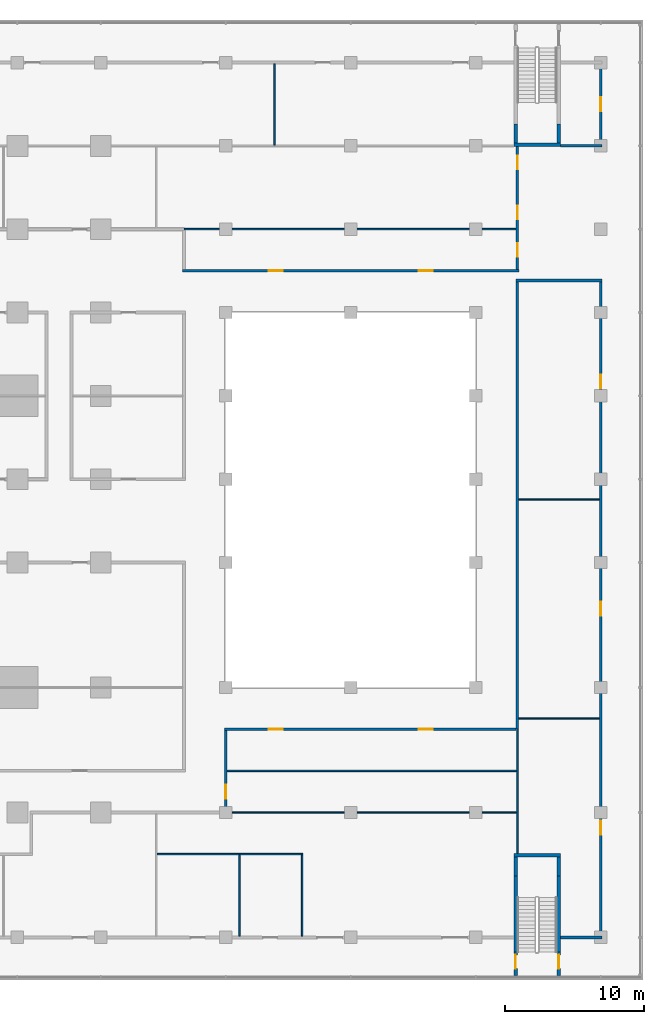
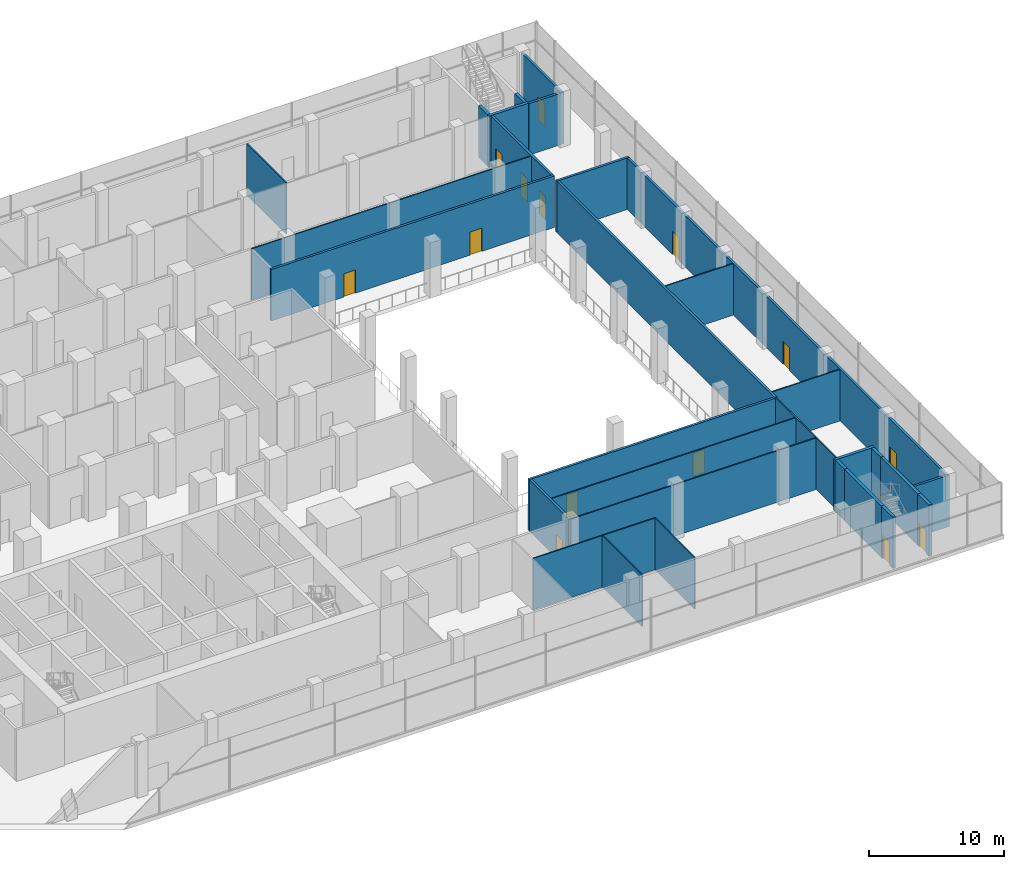
# One storey, part 17 of 22: 30 walls, 14 doors, 14 openings.
"""IFC4 building model written with IfcOpenShell, lengths in metres."""

from ifc_helpers import new_model, si_unit, direction, frame, frame_2d, origin, place, context, subcontext, project, spatial, rectangle, extrude, material, layer, layer_set, type_object, element, fill, save


model = new_model("IFC4")

# Units and contexts
model_context = context("Model", 3, precision=1e-05, world=origin(), true_north=direction((0.0, 1.0)))
body_context = subcontext(model_context, "Body", "Model", "MODEL_VIEW")
ifc_project = project(units=[si_unit("LENGTHUNIT", "METRE"), si_unit("AREAUNIT", "SQUARE_METRE"), si_unit("VOLUMEUNIT", "CUBIC_METRE"), si_unit("PLANEANGLEUNIT", "RADIAN"), si_unit("MASSUNIT", "GRAM", prefix="KILO")], contexts=[model_context])

# Site, building, storey
site_placement = place(None, origin())
site = spatial("IfcSite", under=ifc_project, at=site_placement, CompositionType="ELEMENT")
building_placement = place(site_placement, origin())
building = spatial("IfcBuilding", under=site, at=building_placement, Name="Finial Court Residences", CompositionType="ELEMENT")
storey_placement = place(building_placement, frame((0.0, 0.0, 13.5)))
storey = spatial("IfcBuildingStorey", under=building, at=storey_placement, Name="L02", CompositionType="ELEMENT", Elevation=13.5)

# Wall
ifc_material_1 = material(Name="Gypsum board")
ifc_layer_1 = layer(ifc_material_1, 0.02490234375)
ifc_material_2 = material(Name="Acoustic mineral wool in double frame")
ifc_layer_2 = layer(ifc_material_2, 0.14990234375)
ifc_layer_3 = layer(ifc_material_1, 0.02490234375)
ifc_layer_set_1 = layer_set([ifc_layer_1, ifc_layer_2, ifc_layer_3], Name="Corridor wall 200, 1 hour")
wall_type_1 = type_object("IfcWallType", Name="Corridor wall 200, 1 hour", PredefinedType="PARTITIONING", material=ifc_layer_set_1)
wall_1_placement = place(storey_placement, frame((55.60009765625, -31.5, 0.0), z_axis=(0.0, 0.0, 1.0), x_axis=(1.0, 0.0, 0.0)))
element("IfcWall", 1, at=wall_1_placement, inside=storey, type_object=wall_type_1, Name="Partition L02-002", PredefinedType="PARTITIONING", context=body_context, shape_type="SweptSolid", body=[
    extrude(rectangle(XDim=3.0, YDim=0.199951171875, at=frame_2d((1.5, 0.0))), origin(), (0.0, 0.0, 1.0), 4.64990234375),
])

# Wall, openings, doors
wall_2_placement = place(storey_placement, frame((31.39990234375, -16.5, 0.0), z_axis=(0.0, 0.0, 1.0), x_axis=(1.0, 0.0, 0.0)))
wall_2 = element("IfcWall", 2, at=wall_2_placement, inside=storey, type_object=wall_type_1, Name="Partition L02-012", PredefinedType="PARTITIONING", context=body_context, shape_type="SweptSolid", body=[
    extrude(rectangle(XDim=21.0, YDim=0.199951171875, at=frame_2d((10.5, 0.0))), origin(), (0.0, 0.0, 1.0), 4.64990234375),
])
opening_1_placement = place(wall_2_placement, frame((3.199951171875, 0.0, 0.0)))
opening_1 = element("IfcOpeningElement", 3, at=opening_1_placement, cuts=wall_2, Name="Opening L02-D013", PredefinedType="OPENING", context=body_context, shape_type="SweptSolid", body=[
    extrude(rectangle(XDim=1.0, YDim=2.10009765625, at=frame_2d((0.5, 1.050048828125))), frame((0.0, 0.10986328125, 0.0), z_axis=(0.0, -1.0, 0.0), x_axis=(1.0, 0.0, 0.0)), (0.0, 0.0, 1.0), 0.219970703125),
])
opening_2_placement = place(wall_2_placement, frame((14.0, 0.0, 0.0)))
opening_2 = element("IfcOpeningElement", 4, at=opening_2_placement, cuts=wall_2, Name="Opening L02-D014", PredefinedType="OPENING", context=body_context, shape_type="SweptSolid", body=[
    extrude(rectangle(XDim=1.0, YDim=2.10009765625, at=frame_2d((0.5, 1.050048828125))), frame((0.0, 0.10986328125, 0.0), z_axis=(0.0, -1.0, 0.0), x_axis=(1.0, 0.0, 0.0)), (0.0, 0.0, 1.0), 0.219970703125),
])
ifc_material_3 = material(Name="Timber door leaf in hollow metal frame", Category="wood")
door_type_1 = type_object("IfcDoorType", Name="Fire door set 1000 x 2100, 30 minutes", OperationType="SINGLE_SWING_LEFT", PredefinedType="DOOR", material=ifc_material_3)
door_1_placement = place(opening_1_placement, origin())
door_1 = element("IfcDoor", 5, at=door_1_placement, inside=storey, type_object=door_type_1, Name="Door L02-D013", OperationType="SINGLE_SWING_LEFT", OverallHeight=2.10009765625, OverallWidth=1.0, PredefinedType="DOOR", context=body_context, shape_type="SweptSolid", body=[
    extrude(rectangle(XDim=1.0, YDim=2.10009765625, at=frame_2d((0.5, 1.050048828125))), frame((0.0, 0.02490234375, 0.0), z_axis=(0.0, -1.0, 0.0), x_axis=(1.0, 0.0, 0.0)), (0.0, 0.0, 1.0), 0.050048828125),
])
fill(opening_1, door_1)
door_2_placement = place(opening_2_placement, origin())
door_2 = element("IfcDoor", 6, at=door_2_placement, inside=storey, type_object=door_type_1, Name="Door L02-D014", OperationType="SINGLE_SWING_RIGHT", OverallHeight=2.10009765625, OverallWidth=1.0, PredefinedType="DOOR", context=body_context, shape_type="SweptSolid", body=[
    extrude(rectangle(XDim=1.0, YDim=2.10009765625, at=frame_2d((0.5, 1.050048828125))), frame((0.0, 0.02490234375, 0.0), z_axis=(0.0, -1.0, 0.0), x_axis=(1.0, 0.0, 0.0)), (0.0, 0.0, 1.0), 0.050048828125),
])
fill(opening_2, door_2)

# Wall
wall_3_placement = place(storey_placement, frame((52.39990234375, 15.800048828125, 0.0), z_axis=(0.0, 0.0, 1.0), x_axis=(1.0, 0.0, 0.0)))
element("IfcWall", 7, at=wall_3_placement, inside=storey, type_object=wall_type_1, Name="Partition L02-031", PredefinedType="PARTITIONING", context=body_context, shape_type="SweptSolid", body=[
    extrude(rectangle(XDim=6.2001953125, YDim=0.199951171875, at=frame_2d((3.10009765625, 0.0))), origin(), (0.0, 0.0, 1.0), 4.64990234375),
])

# Wall, openings, doors
wall_4_placement = place(storey_placement, frame((28.39990234375, 16.5, 0.0), z_axis=(0.0, 0.0, 1.0), x_axis=(1.0, 0.0, 0.0)))
wall_4 = element("IfcWall", 8, at=wall_4_placement, inside=storey, type_object=wall_type_1, Name="Partition L02-032", PredefinedType="PARTITIONING", context=body_context, shape_type="SweptSolid", body=[
    extrude(rectangle(XDim=24.2001953125, YDim=0.199951171875, at=frame_2d((12.10009765625, 0.0))), origin(), (0.0, 0.0, 1.0), 4.64990234375),
])
opening_3_placement = place(wall_4_placement, frame((6.199951171875, 0.0, 0.0)))
opening_3 = element("IfcOpeningElement", 9, at=opening_3_placement, cuts=wall_4, Name="Opening L02-D030", PredefinedType="OPENING", context=body_context, shape_type="SweptSolid", body=[
    extrude(rectangle(XDim=1.0, YDim=2.10009765625, at=frame_2d((0.5, 1.050048828125))), frame((0.0, 0.10986328125, 0.0), z_axis=(0.0, -1.0, 0.0), x_axis=(1.0, 0.0, 0.0)), (0.0, 0.0, 1.0), 0.219970703125),
])
opening_4_placement = place(wall_4_placement, frame((17.0, 0.0, 0.0)))
opening_4 = element("IfcOpeningElement", 10, at=opening_4_placement, cuts=wall_4, Name="Opening L02-D031", PredefinedType="OPENING", context=body_context, shape_type="SweptSolid", body=[
    extrude(rectangle(XDim=1.0, YDim=2.10009765625, at=frame_2d((0.5, 1.050048828125))), frame((0.0, 0.10986328125, 0.0), z_axis=(0.0, -1.0, 0.0), x_axis=(1.0, 0.0, 0.0)), (0.0, 0.0, 1.0), 0.219970703125),
])
door_3_placement = place(opening_3_placement, origin())
door_3 = element("IfcDoor", 11, at=door_3_placement, inside=storey, type_object=door_type_1, Name="Door L02-D030", OperationType="SINGLE_SWING_RIGHT", OverallHeight=2.10009765625, OverallWidth=1.0, PredefinedType="DOOR", context=body_context, shape_type="SweptSolid", body=[
    extrude(rectangle(XDim=1.0, YDim=2.10009765625, at=frame_2d((0.5, 1.050048828125))), frame((0.0, 0.02490234375, 0.0), z_axis=(0.0, -1.0, 0.0), x_axis=(1.0, 0.0, 0.0)), (0.0, 0.0, 1.0), 0.050048828125),
])
fill(opening_3, door_3)
door_4_placement = place(opening_4_placement, origin())
door_4 = element("IfcDoor", 12, at=door_4_placement, inside=storey, type_object=door_type_1, Name="Door L02-D031", OperationType="SINGLE_SWING_LEFT", OverallHeight=2.10009765625, OverallWidth=1.0, PredefinedType="DOOR", context=body_context, shape_type="SweptSolid", body=[
    extrude(rectangle(XDim=1.0, YDim=2.10009765625, at=frame_2d((0.5, 1.050048828125))), frame((0.0, 0.02490234375, 0.0), z_axis=(0.0, -1.0, 0.0), x_axis=(1.0, 0.0, 0.0)), (0.0, 0.0, 1.0), 0.050048828125),
])
fill(opening_4, door_4)

# Wall
wall_5_placement = place(storey_placement, frame((55.60009765625, 25.5, 0.0), z_axis=(0.0, 0.0, 1.0), x_axis=(1.0, 0.0, 0.0)))
element("IfcWall", 13, at=wall_5_placement, inside=storey, type_object=wall_type_1, Name="Partition L02-035", PredefinedType="PARTITIONING", context=body_context, shape_type="SweptSolid", body=[
    extrude(rectangle(XDim=3.0, YDim=0.199951171875, at=frame_2d((1.5, 0.0))), origin(), (0.0, 0.0, 1.0), 4.64990234375),
])

# Wall, opening, door
wall_6_placement = place(storey_placement, frame((31.5, -22.39990234375, 0.0), z_axis=(0.0, 0.0, 1.0), x_axis=(0.0, 1.0, 0.0)))
wall_6 = element("IfcWall", 14, at=wall_6_placement, inside=storey, type_object=wall_type_1, Name="Partition L02-066", PredefinedType="PARTITIONING", context=body_context, shape_type="SweptSolid", body=[
    extrude(rectangle(XDim=5.7998046875, YDim=0.199951171875, at=frame_2d((2.89990234375, 0.0))), origin(), (0.0, 0.0, 1.0), 4.64990234375),
])
opening_5_placement = place(wall_6_placement, frame((0.89990234375, 0.0, 0.0)))
opening_5 = element("IfcOpeningElement", 15, at=opening_5_placement, cuts=wall_6, Name="Opening L02-D046", PredefinedType="OPENING", context=body_context, shape_type="SweptSolid", body=[
    extrude(rectangle(XDim=1.0, YDim=2.10009765625, at=frame_2d((0.5, 1.050048828125))), frame((0.0, 0.10986328125, 0.0), z_axis=(0.0, -1.0, 0.0), x_axis=(1.0, 0.0, 0.0)), (0.0, 0.0, 1.0), 0.219970703125),
])
door_5_placement = place(opening_5_placement, origin())
door_5 = element("IfcDoor", 16, at=door_5_placement, inside=storey, type_object=door_type_1, Name="Door L02-D046", OperationType="SINGLE_SWING_LEFT", OverallHeight=2.10009765625, OverallWidth=1.0, PredefinedType="DOOR", context=body_context, shape_type="SweptSolid", body=[
    extrude(rectangle(XDim=1.0, YDim=2.10009765625, at=frame_2d((0.5, 1.050048828125))), frame((0.0, 0.02490234375, 0.0), z_axis=(0.0, -1.0, 0.0), x_axis=(1.0, 0.0, 0.0)), (0.0, 0.0, 1.0), 0.050048828125),
])
fill(opening_5, door_5)

# Wall
wall_7_placement = place(storey_placement, frame((52.5, -16.5, 0.0), z_axis=(0.0, 0.0, 1.0), x_axis=(0.0, 1.0, 0.0)))
element("IfcWall", 17, at=wall_7_placement, inside=storey, type_object=wall_type_1, Name="Partition L02-070", PredefinedType="PARTITIONING", context=body_context, shape_type="SweptSolid", body=[
    extrude(rectangle(XDim=32.199951171875, YDim=0.199951171875, at=frame_2d((16.10009765625, 0.0))), origin(), (0.0, 0.0, 1.0), 4.64990234375),
])

# Wall, openings, doors
wall_8_placement = place(storey_placement, frame((52.5, 16.60009765625, 0.0), z_axis=(0.0, 0.0, 1.0), x_axis=(0.0, 1.0, 0.0)))
wall_8 = element("IfcWall", 18, at=wall_8_placement, inside=storey, type_object=wall_type_1, Name="Partition L02-071", PredefinedType="PARTITIONING", context=body_context, shape_type="SweptSolid", body=[
    extrude(rectangle(XDim=8.869873046875, YDim=0.199951171875, at=frame_2d((4.43505859375, 0.0))), origin(), (0.0, 0.0, 1.0), 4.64990234375),
])
opening_6_placement = place(wall_8_placement, frame((0.89990234375, 0.0, 0.0)))
opening_6 = element("IfcOpeningElement", 19, at=opening_6_placement, cuts=wall_8, Name="Opening L02-D047", PredefinedType="OPENING", context=body_context, shape_type="SweptSolid", body=[
    extrude(rectangle(XDim=1.0, YDim=2.10009765625, at=frame_2d((0.5, 1.050048828125))), frame((0.0, 0.10986328125, 0.0), z_axis=(0.0, -1.0, 0.0), x_axis=(1.0, 0.0, 0.0)), (0.0, 0.0, 1.0), 0.219970703125),
])
opening_7_placement = place(wall_8_placement, frame((3.60009765625, 0.0, 0.0)))
opening_7 = element("IfcOpeningElement", 20, at=opening_7_placement, cuts=wall_8, Name="Opening L02-D048", PredefinedType="OPENING", context=body_context, shape_type="SweptSolid", body=[
    extrude(rectangle(XDim=1.0, YDim=2.10009765625, at=frame_2d((0.5, 1.050048828125))), frame((0.0, 0.10986328125, 0.0), z_axis=(0.0, -1.0, 0.0), x_axis=(1.0, 0.0, 0.0)), (0.0, 0.0, 1.0), 0.219970703125),
])
opening_8_placement = place(wall_8_placement, frame((7.199951171875, 0.0, 0.0)))
opening_8 = element("IfcOpeningElement", 21, at=opening_8_placement, cuts=wall_8, Name="Opening L02-D049", PredefinedType="OPENING", context=body_context, shape_type="SweptSolid", body=[
    extrude(rectangle(XDim=1.0, YDim=2.10009765625, at=frame_2d((0.5, 1.050048828125))), frame((0.0, 0.10986328125, 0.0), z_axis=(0.0, -1.0, 0.0), x_axis=(1.0, 0.0, 0.0)), (0.0, 0.0, 1.0), 0.219970703125),
])
door_6_placement = place(opening_6_placement, origin())
door_6 = element("IfcDoor", 22, at=door_6_placement, inside=storey, type_object=door_type_1, Name="Door L02-D047", OperationType="SINGLE_SWING_RIGHT", OverallHeight=2.10009765625, OverallWidth=1.0, PredefinedType="DOOR", context=body_context, shape_type="SweptSolid", body=[
    extrude(rectangle(XDim=1.0, YDim=2.10009765625, at=frame_2d((0.5, 1.050048828125))), frame((0.0, 0.02490234375, 0.0), z_axis=(0.0, -1.0, 0.0), x_axis=(1.0, 0.0, 0.0)), (0.0, 0.0, 1.0), 0.050048828125),
])
fill(opening_6, door_6)
door_7_placement = place(opening_7_placement, origin())
door_7 = element("IfcDoor", 23, at=door_7_placement, inside=storey, type_object=door_type_1, Name="Door L02-D048", OperationType="SINGLE_SWING_RIGHT", OverallHeight=2.10009765625, OverallWidth=1.0, PredefinedType="DOOR", context=body_context, shape_type="SweptSolid", body=[
    extrude(rectangle(XDim=1.0, YDim=2.10009765625, at=frame_2d((0.5, 1.050048828125))), frame((0.0, 0.02490234375, 0.0), z_axis=(0.0, -1.0, 0.0), x_axis=(1.0, 0.0, 0.0)), (0.0, 0.0, 1.0), 0.050048828125),
])
fill(opening_7, door_7)
door_8_placement = place(opening_8_placement, origin())
door_8 = element("IfcDoor", 24, at=door_8_placement, inside=storey, type_object=door_type_1, Name="Door L02-D049", OperationType="SINGLE_SWING_LEFT", OverallHeight=2.10009765625, OverallWidth=1.0, PredefinedType="DOOR", context=body_context, shape_type="SweptSolid", body=[
    extrude(rectangle(XDim=1.0, YDim=2.10009765625, at=frame_2d((0.5, 1.050048828125))), frame((0.0, 0.02490234375, 0.0), z_axis=(0.0, -1.0, 0.0), x_axis=(1.0, 0.0, 0.0)), (0.0, 0.0, 1.0), 0.050048828125),
])
fill(opening_8, door_8)

wall_9_placement = place(storey_placement, frame((58.5, -31.39990234375, 0.0), z_axis=(0.0, 0.0, 1.0), x_axis=(0.0, 1.0, 0.0)))
wall_9 = element("IfcWall", 25, at=wall_9_placement, inside=storey, type_object=wall_type_1, Name="Partition L02-073", PredefinedType="PARTITIONING", context=body_context, shape_type="SweptSolid", body=[
    extrude(rectangle(XDim=47.099853515625, YDim=0.199951171875, at=frame_2d((23.5498046875, 0.0))), origin(), (0.0, 0.0, 1.0), 4.64990234375),
])
opening_9_placement = place(wall_9_placement, frame((7.300048828125, 0.0, 0.0)))
opening_9 = element("IfcOpeningElement", 26, at=opening_9_placement, cuts=wall_9, Name="Opening L02-D050", PredefinedType="OPENING", context=body_context, shape_type="SweptSolid", body=[
    extrude(rectangle(XDim=1.0, YDim=2.10009765625, at=frame_2d((0.5, 1.050048828125))), frame((0.0, 0.10986328125, 0.0), z_axis=(0.0, -1.0, 0.0), x_axis=(1.0, 0.0, 0.0)), (0.0, 0.0, 1.0), 0.219970703125),
])
opening_10_placement = place(wall_9_placement, frame((23.06689453125, 0.0, 0.0)))
opening_10 = element("IfcOpeningElement", 27, at=opening_10_placement, cuts=wall_9, Name="Opening L02-D051", PredefinedType="OPENING", context=body_context, shape_type="SweptSolid", body=[
    extrude(rectangle(XDim=1.0, YDim=2.10009765625, at=frame_2d((0.5, 1.050048828125))), frame((0.0, 0.10986328125, 0.0), z_axis=(0.0, -1.0, 0.0), x_axis=(1.0, 0.0, 0.0)), (0.0, 0.0, 1.0), 0.219970703125),
])
opening_11_placement = place(wall_9_placement, frame((39.43310546875, 0.0, 0.0)))
opening_11 = element("IfcOpeningElement", 28, at=opening_11_placement, cuts=wall_9, Name="Opening L02-D052", PredefinedType="OPENING", context=body_context, shape_type="SweptSolid", body=[
    extrude(rectangle(XDim=1.0, YDim=2.10009765625, at=frame_2d((0.5, 1.050048828125))), frame((0.0, 0.10986328125, 0.0), z_axis=(0.0, -1.0, 0.0), x_axis=(1.0, 0.0, 0.0)), (0.0, 0.0, 1.0), 0.219970703125),
])
door_9_placement = place(opening_9_placement, origin())
door_9 = element("IfcDoor", 29, at=door_9_placement, inside=storey, type_object=door_type_1, Name="Door L02-D050", OperationType="SINGLE_SWING_RIGHT", OverallHeight=2.10009765625, OverallWidth=1.0, PredefinedType="DOOR", context=body_context, shape_type="SweptSolid", body=[
    extrude(rectangle(XDim=1.0, YDim=2.10009765625, at=frame_2d((0.5, 1.050048828125))), frame((0.0, 0.02490234375, 0.0), z_axis=(0.0, -1.0, 0.0), x_axis=(1.0, 0.0, 0.0)), (0.0, 0.0, 1.0), 0.050048828125),
])
fill(opening_9, door_9)
door_10_placement = place(opening_10_placement, origin())
door_10 = element("IfcDoor", 30, at=door_10_placement, inside=storey, type_object=door_type_1, Name="Door L02-D051", OperationType="SINGLE_SWING_RIGHT", OverallHeight=2.10009765625, OverallWidth=1.0, PredefinedType="DOOR", context=body_context, shape_type="SweptSolid", body=[
    extrude(rectangle(XDim=1.0, YDim=2.10009765625, at=frame_2d((0.5, 1.050048828125))), frame((0.0, 0.02490234375, 0.0), z_axis=(0.0, -1.0, 0.0), x_axis=(1.0, 0.0, 0.0)), (0.0, 0.0, 1.0), 0.050048828125),
])
fill(opening_10, door_10)
door_11_placement = place(opening_11_placement, origin())
door_11 = element("IfcDoor", 31, at=door_11_placement, inside=storey, type_object=door_type_1, Name="Door L02-D052", OperationType="SINGLE_SWING_LEFT", OverallHeight=2.10009765625, OverallWidth=1.0, PredefinedType="DOOR", context=body_context, shape_type="SweptSolid", body=[
    extrude(rectangle(XDim=1.0, YDim=2.10009765625, at=frame_2d((0.5, 1.050048828125))), frame((0.0, 0.02490234375, 0.0), z_axis=(0.0, -1.0, 0.0), x_axis=(1.0, 0.0, 0.0)), (0.0, 0.0, 1.0), 0.050048828125),
])
fill(opening_11, door_11)

# Wall, opening, door
wall_10_placement = place(storey_placement, frame((58.5, 25.60009765625, 0.0), z_axis=(0.0, 0.0, 1.0), x_axis=(0.0, 1.0, 0.0)))
wall_10 = element("IfcWall", 32, at=wall_10_placement, inside=storey, type_object=wall_type_1, Name="Partition L02-074", PredefinedType="PARTITIONING", context=body_context, shape_type="SweptSolid", body=[
    extrude(rectangle(XDim=5.7998046875, YDim=0.199951171875, at=frame_2d((2.89990234375, 0.0))), origin(), (0.0, 0.0, 1.0), 4.64990234375),
])
opening_12_placement = place(wall_10_placement, frame((2.39990234375, 0.0, 0.0)))
opening_12 = element("IfcOpeningElement", 33, at=opening_12_placement, cuts=wall_10, Name="Opening L02-D053", PredefinedType="OPENING", context=body_context, shape_type="SweptSolid", body=[
    extrude(rectangle(XDim=1.0, YDim=2.10009765625, at=frame_2d((0.5, 1.050048828125))), frame((0.0, 0.10986328125, 0.0), z_axis=(0.0, -1.0, 0.0), x_axis=(1.0, 0.0, 0.0)), (0.0, 0.0, 1.0), 0.219970703125),
])
door_12_placement = place(opening_12_placement, origin())
door_12 = element("IfcDoor", 34, at=door_12_placement, inside=storey, type_object=door_type_1, Name="Door L02-D053", OperationType="SINGLE_SWING_LEFT", OverallHeight=2.10009765625, OverallWidth=1.0, PredefinedType="DOOR", context=body_context, shape_type="SweptSolid", body=[
    extrude(rectangle(XDim=1.0, YDim=2.10009765625, at=frame_2d((0.5, 1.050048828125))), frame((0.0, 0.02490234375, 0.0), z_axis=(0.0, -1.0, 0.0), x_axis=(1.0, 0.0, 0.0)), (0.0, 0.0, 1.0), 0.050048828125),
])
fill(opening_12, door_12)

# Walls
ifc_layer_4 = layer(ifc_material_1, 0.012451171875)
ifc_material_4 = material(Name="Mineral wool in light-gauge frame")
ifc_layer_5 = layer(ifc_material_4, 0.074951171875)
ifc_layer_6 = layer(ifc_material_1, 0.012451171875)
ifc_layer_set_2 = layer_set([ifc_layer_4, ifc_layer_5, ifc_layer_6], Name="Gypsum board partition 100")
wall_type_2 = type_object("IfcWallType", Name="Gypsum board partition 100", PredefinedType="PARTITIONING", material=ifc_layer_set_2)
wall_11_placement = place(storey_placement, frame((26.550048828125, -25.5, 0.0), z_axis=(0.0, 0.0, 1.0), x_axis=(1.0, 0.0, 0.0)))
element("IfcWall", 35, at=wall_11_placement, inside=storey, type_object=wall_type_2, Name="Partition L02-005", PredefinedType="PARTITIONING", context=body_context, shape_type="SweptSolid", body=[
    extrude(rectangle(XDim=10.5, YDim=0.10009765625, at=frame_2d((5.25, 0.0))), origin(), (0.0, 0.0, 1.0), 4.64990234375),
])
wall_12_placement = place(storey_placement, frame((31.5, -22.5, 0.0), z_axis=(0.0, 0.0, 1.0), x_axis=(1.0, 0.0, 0.0)))
element("IfcWall", 36, at=wall_12_placement, inside=storey, type_object=wall_type_2, Name="Partition L02-008", PredefinedType="PARTITIONING", context=body_context, shape_type="SweptSolid", body=[
    extrude(rectangle(XDim=20.949951171875, YDim=0.10009765625, at=frame_2d((10.47509765625, 0.0))), origin(), (0.0, 0.0, 1.0), 4.64990234375),
])
wall_13_placement = place(storey_placement, frame((31.60009765625, -19.5, 0.0), z_axis=(0.0, 0.0, 1.0), x_axis=(1.0, 0.0, 0.0)))
element("IfcWall", 37, at=wall_13_placement, inside=storey, type_object=wall_type_2, Name="Partition L02-011", PredefinedType="PARTITIONING", context=body_context, shape_type="SweptSolid", body=[
    extrude(rectangle(XDim=20.849853515625, YDim=0.10009765625, at=frame_2d((10.4248046875, 0.0))), origin(), (0.0, 0.0, 1.0), 4.64990234375),
])
for number, where, z_axis, x_axis, name in (
    (38, (52.60009765625, -15.73291015625, 0.0), (0.0, 0.0, 1.0), (1.0, 0.0, 0.0), "Partition L02-013"),
    (39, (52.60009765625, 0.032958984375, 0.0), (0.0, 0.0, 1.0), (1.0, 0.0, 0.0), "Partition L02-018"),
):
    element("IfcWall", number, at=place(storey_placement, frame(where, z_axis=z_axis, x_axis=x_axis)), inside=storey, type_object=wall_type_2, Name=name, PredefinedType="PARTITIONING", context=body_context, shape_type="SweptSolid", body=[
        extrude(rectangle(XDim=5.7998046875, YDim=0.10009765625, at=frame_2d((2.89990234375, 0.0))), origin(), (0.0, 0.0, 1.0), 4.64990234375),
    ])
wall_14_placement = place(storey_placement, frame((28.5, 19.5, 0.0), z_axis=(0.0, 0.0, 1.0), x_axis=(1.0, 0.0, 0.0)))
element("IfcWall", 40, at=wall_14_placement, inside=storey, type_object=wall_type_2, Name="Partition L02-034", PredefinedType="PARTITIONING", context=body_context, shape_type="SweptSolid", body=[
    extrude(rectangle(XDim=23.89990234375, YDim=0.10009765625, at=frame_2d((11.949951171875, 0.0))), origin(), (0.0, 0.0, 1.0), 4.64990234375),
])
for number, where, z_axis, x_axis, name in (
    (41, (32.5, -31.39990234375, 0.0), (0.0, 0.0, 1.0), (0.0, 1.0, 0.0), "Partition L02-067"),
    (42, (35.0, 25.550048828125, 0.0), (0.0, 0.0, 1.0), (0.0, 1.0, 0.0), "Partition L02-068"),
    (43, (37.0, -31.39990234375, 0.0), (0.0, 0.0, 1.0), (0.0, 1.0, 0.0), "Partition L02-069"),
):
    element("IfcWall", number, at=place(storey_placement, frame(where, z_axis=z_axis, x_axis=x_axis)), inside=storey, type_object=wall_type_2, Name=name, PredefinedType="PARTITIONING", context=body_context, shape_type="SweptSolid", body=[
        extrude(rectangle(XDim=5.849853515625, YDim=0.10009765625, at=frame_2d((2.9248046875, 0.0))), origin(), (0.0, 0.0, 1.0), 4.64990234375),
    ])
wall_15_placement = place(storey_placement, frame((52.5, -25.469970703125, 0.0), z_axis=(0.0, 0.0, 1.0), x_axis=(0.0, 1.0, 0.0)))
element("IfcWall", 44, at=wall_15_placement, inside=storey, type_object=wall_type_2, Name="Partition L02-072", PredefinedType="PARTITIONING", context=body_context, shape_type="SweptSolid", body=[
    extrude(rectangle(XDim=8.969970703125, YDim=0.10009765625, at=frame_2d((4.48486328125, 0.0))), origin(), (0.0, 0.0, 1.0), 4.64990234375),
])

# Wall, opening, door
ifc_material_5 = material(Name="Concrete C50/60", Category="concrete")
ifc_layer_7 = layer(ifc_material_5, 0.25)
ifc_layer_set_3 = layer_set([ifc_layer_7], Name="Stair enclosure wall 250 Concrete C50/60")
wall_type_3 = type_object("IfcWallType", Name="Stair enclosure wall 250 Concrete C50/60", PredefinedType="SHEAR", material=ifc_layer_set_3)
wall_16_placement = place(storey_placement, frame((52.375, -32.550048828125, 0.0), z_axis=(0.0, 0.0, 1.0), x_axis=(0.0, -1.0, 0.0)))
wall_16 = element("IfcWall", 45, at=wall_16_placement, inside=storey, type_object=wall_type_3, Name="Exit Stair 3 enclosure wall L02-W1", PredefinedType="SHEAR", context=body_context, shape_type="SweptSolid", body=[
    extrude(rectangle(XDim=1.68994140625, YDim=0.25, at=frame_2d((0.844970703125, 0.0))), origin(), (0.0, 0.0, 1.0), 4.64990234375),
])
opening_13_placement = place(wall_16_placement, frame((0.199951171875, 0.0, 0.0)))
opening_13 = element("IfcOpeningElement", 46, at=opening_13_placement, cuts=wall_16, Name="Opening L02-S3", PredefinedType="OPENING", context=body_context, shape_type="SweptSolid", body=[
    extrude(rectangle(XDim=1.0, YDim=2.10009765625, at=frame_2d((0.5, 1.050048828125))), frame((0.0, 0.135009765625, 0.0), z_axis=(0.0, -1.0, 0.0), x_axis=(1.0, 0.0, 0.0)), (0.0, 0.0, 1.0), 0.27001953125),
])
ifc_material_6 = material(Name="Steel fire door", Category="steel")
door_type_2 = type_object("IfcDoorType", Name="Stair door 1000 x 2100 EI 90", OperationType="NOTDEFINED", PredefinedType="DOOR", material=ifc_material_6)
door_13_placement = place(opening_13_placement, origin())
door_13 = element("IfcDoor", 47, at=door_13_placement, inside=storey, type_object=door_type_2, Name="Exit Stair 3 door L02", OperationType="SINGLE_SWING_RIGHT", OverallHeight=2.10009765625, OverallWidth=1.0, PredefinedType="DOOR", context=body_context, shape_type="SweptSolid", body=[
    extrude(rectangle(XDim=1.0, YDim=2.10009765625, at=frame_2d((0.5, 1.050048828125))), frame((0.0, 0.02490234375, 0.0), z_axis=(0.0, -1.0, 0.0), x_axis=(1.0, 0.0, 0.0)), (0.0, 0.0, 1.0), 0.050048828125),
])
fill(opening_13, door_13)

# Walls
wall_17_placement = place(storey_placement, frame((52.375, -32.550048828125, 0.0), z_axis=(0.0, 0.0, 1.0), x_axis=(0.0, 1.0, 0.0)))
element("IfcWall", 48, at=wall_17_placement, inside=storey, type_object=wall_type_3, Name="Exit Stair 3 enclosure wall L02-W2", PredefinedType="SHEAR", context=body_context, shape_type="SweptSolid", body=[
    extrude(rectangle(XDim=5.47998046875, YDim=0.25, at=frame_2d((2.739990234375, 0.0))), origin(), (0.0, 0.0, 1.0), 4.64990234375),
])
wall_18_placement = place(storey_placement, frame((52.375, -27.070068359375, 0.0), z_axis=(0.0, 0.0, 1.0), x_axis=(0.0, 1.0, 0.0)))
element("IfcWall", 49, at=wall_18_placement, inside=storey, type_object=wall_type_3, Name="Exit Stair 3 enclosure wall L02-W3", PredefinedType="SHEAR", context=body_context, shape_type="SweptSolid", body=[
    extrude(rectangle(XDim=1.35009765625, YDim=0.25, at=frame_2d((0.675048828125, 0.0))), origin(), (0.0, 0.0, 1.0), 4.64990234375),
])

# Wall, opening, door
wall_19_placement = place(storey_placement, frame((55.47509765625, -34.239990234375, 0.0), z_axis=(0.0, 0.0, 1.0), x_axis=(0.0, 1.0, 0.0)))
wall_19 = element("IfcWall", 50, at=wall_19_placement, inside=storey, type_object=wall_type_3, Name="Exit Stair 3 enclosure wall L02-E1", PredefinedType="SHEAR", context=body_context, shape_type="SweptSolid", body=[
    extrude(rectangle(XDim=1.68994140625, YDim=0.25, at=frame_2d((0.844970703125, 0.0))), origin(), (0.0, 0.0, 1.0), 4.64990234375),
])
opening_14_placement = place(wall_19_placement, frame((0.489990234375, 0.0, 0.0)))
opening_14 = element("IfcOpeningElement", 51, at=opening_14_placement, cuts=wall_19, Name="Opening L02-S3E", PredefinedType="OPENING", context=body_context, shape_type="SweptSolid", body=[
    extrude(rectangle(XDim=1.0, YDim=2.10009765625, at=frame_2d((0.5, 1.050048828125))), frame((0.0, 0.135009765625, 0.0), z_axis=(0.0, -1.0, 0.0), x_axis=(1.0, 0.0, 0.0)), (0.0, 0.0, 1.0), 0.27001953125),
])
door_14_placement = place(opening_14_placement, origin())
door_14 = element("IfcDoor", 52, at=door_14_placement, inside=storey, type_object=door_type_2, Name="Exit Stair 3 east door L02", OperationType="SINGLE_SWING_LEFT", OverallHeight=2.10009765625, OverallWidth=1.0, PredefinedType="DOOR", context=body_context, shape_type="SweptSolid", body=[
    extrude(rectangle(XDim=1.0, YDim=2.10009765625, at=frame_2d((0.5, 1.050048828125))), frame((0.0, 0.02490234375, 0.0), z_axis=(0.0, -1.0, 0.0), x_axis=(1.0, 0.0, 0.0)), (0.0, 0.0, 1.0), 0.050048828125),
])
fill(opening_14, door_14)

# Walls
wall_20_placement = place(storey_placement, frame((55.47509765625, -32.550048828125, 0.0), z_axis=(0.0, 0.0, 1.0), x_axis=(0.0, 1.0, 0.0)))
element("IfcWall", 53, at=wall_20_placement, inside=storey, type_object=wall_type_3, Name="Exit Stair 3 enclosure wall L02-E2", PredefinedType="SHEAR", context=body_context, shape_type="SweptSolid", body=[
    extrude(rectangle(XDim=5.47998046875, YDim=0.25, at=frame_2d((2.739990234375, 0.0))), origin(), (0.0, 0.0, 1.0), 4.64990234375),
])
wall_21_placement = place(storey_placement, frame((55.47509765625, -27.070068359375, 0.0), z_axis=(0.0, 0.0, 1.0), x_axis=(0.0, 1.0, 0.0)))
element("IfcWall", 54, at=wall_21_placement, inside=storey, type_object=wall_type_3, Name="Exit Stair 3 enclosure wall L02-E3", PredefinedType="SHEAR", context=body_context, shape_type="SweptSolid", body=[
    extrude(rectangle(XDim=1.35009765625, YDim=0.25, at=frame_2d((0.675048828125, 0.0))), origin(), (0.0, 0.0, 1.0), 4.64990234375),
])
wall_22_placement = place(storey_placement, frame((52.25, -25.594970703125, 0.0), z_axis=(0.0, 0.0, 1.0), x_axis=(1.0, 0.0, 0.0)))
element("IfcWall", 55, at=wall_22_placement, inside=storey, type_object=wall_type_3, Name="Exit Stair 3 enclosure wall L02-N", PredefinedType="SHEAR", context=body_context, shape_type="SweptSolid", body=[
    extrude(rectangle(XDim=3.35009765625, YDim=0.25, at=frame_2d((1.675048828125, 0.0))), origin(), (0.0, 0.0, 1.0), 4.64990234375),
])
for number, where, z_axis, x_axis, name in (
    (56, (52.375, 25.719970703125, 0.0), (0.0, 0.0, 1.0), (0.0, 1.0, 0.0), "Exit Stair 5 enclosure wall L02-W3"),
    (57, (55.47509765625, 25.719970703125, 0.0), (0.0, 0.0, 1.0), (0.0, 1.0, 0.0), "Exit Stair 5 enclosure wall L02-E3"),
):
    element("IfcWall", number, at=place(storey_placement, frame(where, z_axis=z_axis, x_axis=x_axis)), inside=storey, type_object=wall_type_3, Name=name, PredefinedType="SHEAR", context=body_context, shape_type="SweptSolid", body=[
        extrude(rectangle(XDim=1.35009765625, YDim=0.25, at=frame_2d((0.675048828125, 0.0))), origin(), (0.0, 0.0, 1.0), 4.64990234375),
    ])
wall_23_placement = place(storey_placement, frame((52.25, 25.594970703125, 0.0), z_axis=(0.0, 0.0, 1.0), x_axis=(1.0, 0.0, 0.0)))
element("IfcWall", 58, at=wall_23_placement, inside=storey, type_object=wall_type_3, Name="Exit Stair 5 enclosure wall L02-N", PredefinedType="SHEAR", context=body_context, shape_type="SweptSolid", body=[
    extrude(rectangle(XDim=3.35009765625, YDim=0.25, at=frame_2d((1.675048828125, 0.0))), origin(), (0.0, 0.0, 1.0), 4.64990234375),
])

save(model, "model.ifc")
